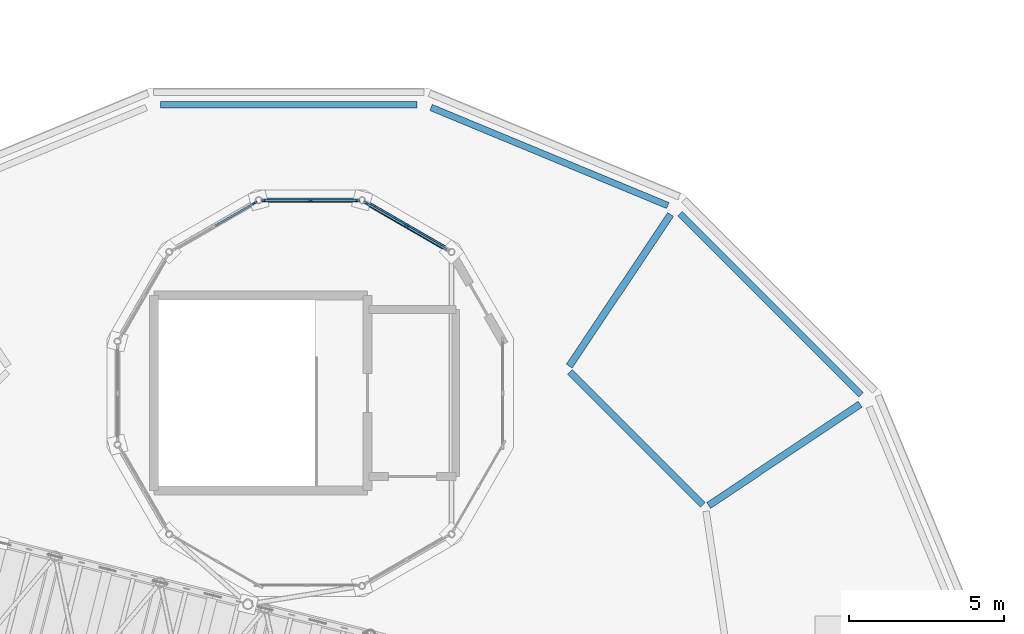
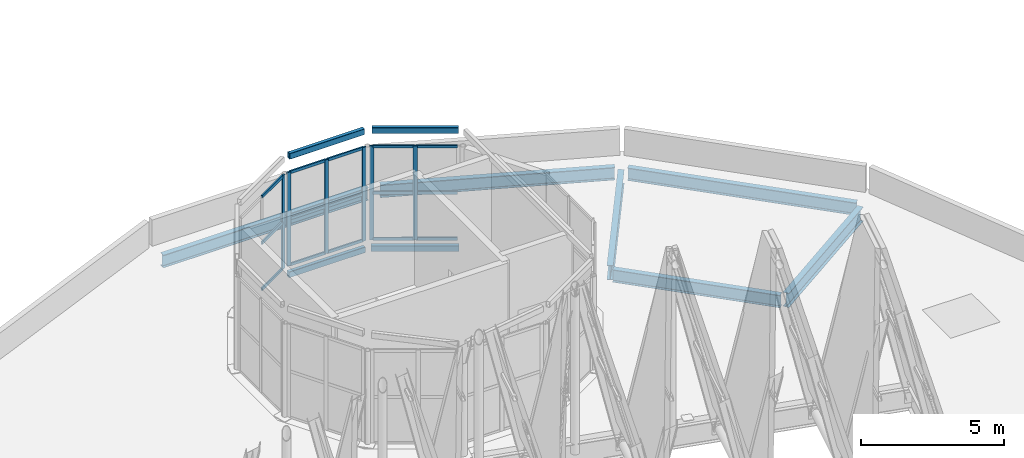
# One storey, part 16 of 51: 21 members, 10 beams, 3 elements without a shape of their own.
"""IFC4 building model written with IfcOpenShell, lengths in metres."""

import ifcopenshell
import ifcopenshell.guid

model = None  # the IFC model being written
_history = None  # IfcOwnerHistory: only IFC2X3 demands one
_inside = {}  # id of a spatial element -> (the spatial element, [elements in it])
_under = {}  # id of a project, library or spatial element -> (it, [spatial elements below it])
_declared = {}  # id of a project -> (the project, [libraries it declares])
_typed = {}  # id of a type object -> (the type object, [elements of that type])
_made_of = {}  # id of a material, layer set ... -> (it, [elements and type objects made of it])


def new_model(schema):
    """Start an empty IFC model of exactly this schema.

    Asked for "IFC4X3", IfcOpenShell would pick the latest addendum, in which some entities
    have other attributes; the version numbers below select the first issue.
    IFC2X3 requires an IfcOwnerHistory on every rooted entity: one is made here for all.
    """
    global model, _history
    if schema == "IFC4X3":
        model = ifcopenshell.file(schema_version=(4, 3, 0, 0))
    else:
        model = ifcopenshell.file(schema=schema)
    _inside.clear()
    _under.clear()
    _declared.clear()
    _typed.clear()
    _made_of.clear()
    _history = None
    if model.schema == "IFC2X3":
        org = make("IfcOrganization", Name="unknown")
        user = make(
            "IfcPersonAndOrganization",
            ThePerson=make("IfcPerson", FamilyName="unknown"),
            TheOrganization=org,
        )
        app = make(
            "IfcApplication",
            ApplicationDeveloper=org,
            Version="unknown",
            ApplicationFullName="unknown",
            ApplicationIdentifier="unknown",
        )
        _history = make(
            "IfcOwnerHistory",
            OwningUser=user,
            OwningApplication=app,
            ChangeAction="ADDED",
            CreationDate=0,
        )
    return model


def make(cls, **values):
    """One entity of the class cls with the attributes given. An attribute that is None is left unset."""
    return model.create_entity(
        cls, **{name: value for name, value in values.items() if value is not None}
    )


def rooted(cls, **values):
    """An entity with a GlobalId (a new one), such as an element, a storey or a relation."""
    return make(cls, GlobalId=ifcopenshell.guid.new(), OwnerHistory=_history, **values)


def si_unit(unit_type, name, prefix=None):
    """IfcSIUnit, for example si_unit("LENGTHUNIT", "METRE", prefix="MILLI")."""
    return make("IfcSIUnit", UnitType=unit_type, Prefix=prefix, Name=name)


def assignment(units):
    """IfcUnitAssignment: the units of a project."""
    return None if units is None else make("IfcUnitAssignment", Units=units)


def point(xyz):
    """IfcCartesianPoint."""
    return None if xyz is None else make("IfcCartesianPoint", Coordinates=xyz)


def direction(xyz):
    """IfcDirection."""
    return None if xyz is None else make("IfcDirection", DirectionRatios=xyz)


def frame(location, z_axis=None, x_axis=None):
    """IfcAxis2Placement3D, a coordinate frame: its origin and axes. An axis left out is left unset."""
    return make(
        "IfcAxis2Placement3D",
        Location=point(location),
        Axis=direction(z_axis),
        RefDirection=direction(x_axis),
    )


def frame_2d(location, x_axis=None):
    """IfcAxis2Placement2D, a coordinate frame in the plane: its origin and x axis."""
    return make(
        "IfcAxis2Placement2D", Location=point(location), RefDirection=direction(x_axis)
    )


def origin():
    """The frame at (0, 0, 0) with its axes left unset."""
    return frame((0.0, 0.0, 0.0))


def origin_2d():
    """The frame at (0, 0) in the plane with its x axis left unset."""
    return frame_2d((0.0, 0.0))


def place(relative_to, where):
    """IfcLocalPlacement: puts the frame where relative to a parent placement (None: the world)."""
    return make(
        "IfcLocalPlacement", PlacementRelTo=relative_to, RelativePlacement=where
    )


def context(
    kind, dimensions, precision=None, world=None, true_north=None, identifier=None
):
    """IfcGeometricRepresentationContext, for example the 3D "Model" context."""
    return make(
        "IfcGeometricRepresentationContext",
        ContextIdentifier=identifier,
        ContextType=kind,
        CoordinateSpaceDimension=dimensions,
        Precision=precision,
        WorldCoordinateSystem=world,
        TrueNorth=true_north,
    )


def subcontext(parent, identifier, kind, view, scale=None):
    """IfcGeometricRepresentationSubContext, for example "Body" below "Model"."""
    return make(
        "IfcGeometricRepresentationSubContext",
        ContextIdentifier=identifier,
        ContextType=kind,
        ParentContext=parent,
        TargetScale=scale,
        TargetView=view,
    )


def project(units=None, contexts=None):
    """IfcProject with its units and contexts."""
    return rooted(
        "IfcProject",
        Name="project",
        RepresentationContexts=contexts,
        UnitsInContext=assignment(units),
    )


def spatial(cls, under=None, at=None, **own):
    """A site, building, storey or space (cls), placed at a placement, below another one or the project."""
    s = rooted(cls, ObjectPlacement=at, **own)
    if under is not None:
        _under.setdefault(under.id(), (under, []))[1].append(s)
    return s


def profile(cls, at=None, kind="AREA", **sizes):
    """A parametric profile (cls). Its sizes go by their IFC names, for example OverallWidth=200.0."""
    return make(cls, ProfileType=kind, Position=at, **sizes)


def rectangle(**sizes):
    """IfcRectangleProfileDef."""
    return profile("IfcRectangleProfileDef", **sizes)


def hollow_rectangle(**sizes):
    """IfcRectangleHollowProfileDef."""
    return profile("IfcRectangleHollowProfileDef", **sizes)


def i_section(**sizes):
    """IfcIShapeProfileDef."""
    return profile("IfcIShapeProfileDef", **sizes)


def extrude(swept, where, along, depth):
    """IfcExtrudedAreaSolid: the profile swept, set in the frame where, extruded along a direction by depth."""
    return make(
        "IfcExtrudedAreaSolid",
        SweptArea=swept,
        Position=where,
        ExtrudedDirection=direction(along),
        Depth=depth,
    )


def shape(context_of_items, identifier, shape_type, items):
    """IfcShapeRepresentation: the items that make up one representation, for example the "Body"."""
    return make(
        "IfcShapeRepresentation",
        ContextOfItems=context_of_items,
        RepresentationIdentifier=identifier,
        RepresentationType=shape_type,
        Items=items,
    )


def material(Name=None, Category=None):
    """IfcMaterial."""
    return make("IfcMaterial", Name=Name, Category=Category)


def material_profile(
    of_material, cross_section, Name=None, Category=None, Priority=None
):
    """IfcMaterialProfile: a cross section and its material."""
    return make(
        "IfcMaterialProfile",
        Name=Name,
        Material=of_material,
        Profile=cross_section,
        Priority=Priority,
        Category=Category,
    )


def profile_set(profiles, Name=None, composite=None):
    """IfcMaterialProfileSet."""
    return make(
        "IfcMaterialProfileSet",
        Name=Name,
        MaterialProfiles=profiles,
        CompositeProfile=composite,
    )


def made_of(thing, what):
    """Note that an element or type object is made of a material, layer set ...; save() writes the relation."""
    if what is not None:
        _made_of.setdefault(what.id(), (what, []))[1].append(thing)
    return thing


def type_object(cls, material=None, **own):
    """A type object (cls), such as IfcWallType, which elements share."""
    return made_of(rooted(cls, **own), material)


def element(
    cls,
    number,
    at=None,
    inside=None,
    cuts=None,
    type_object=None,
    material=None,
    context=None,
    identifier="Body",
    shape_type=None,
    held_by="IfcProductDefinitionShape",
    body=None,
    shapes=None,
    **own,
):
    """One element of the class cls, such as IfcWall. Its Tag is "e" and its number.

    at: its placement. inside: the storey or other place that contains it. cuts: it is an
    opening in that element (IfcRelVoidsElement). A single representation is given by context,
    identifier, shape_type and body (its items); several are given by shapes. held_by: the class
    of the entity that holds the representations. save() writes the other relations.
    """
    e = rooted(cls, Tag="e%d" % number, ObjectPlacement=at, **own)
    if body is not None:
        shapes = [shape(context, identifier, shape_type, body)]
    if shapes is not None:
        e.Representation = make(held_by, Representations=shapes)
    if inside is not None:
        _inside.setdefault(inside.id(), (inside, []))[1].append(e)
    if cuts is not None:
        rooted(
            "IfcRelVoidsElement", RelatingBuildingElement=cuts, RelatedOpeningElement=e
        )
    if type_object is not None:
        _typed.setdefault(type_object.id(), (type_object, []))[1].append(e)
    return made_of(e, material)


def aggregate(whole, parts):
    """IfcRelAggregates: a whole, such as a stair, and the parts it consists of."""
    return rooted("IfcRelAggregates", RelatingObject=whole, RelatedObjects=parts)


def save(model, path):
    """Write the relations noted so far, then the file.

    IfcRelAggregates (storeys below a building ...), IfcRelContainedInSpatialStructure (elements
    in a storey), IfcRelDefinesByType, IfcRelAssociatesMaterial and IfcRelDeclares: one each for
    every whole, place, type object, material and project.
    """
    for whole, parts in _under.values():
        aggregate(whole, parts)
    for where, things in _inside.values():
        rooted(
            "IfcRelContainedInSpatialStructure",
            RelatedElements=things,
            RelatingStructure=where,
        )
    for kind, things in _typed.values():
        rooted("IfcRelDefinesByType", RelatedObjects=things, RelatingType=kind)
    for what, things in _made_of.values():
        rooted("IfcRelAssociatesMaterial", RelatedObjects=things, RelatingMaterial=what)
    for by, libraries in _declared.values():
        rooted("IfcRelDeclares", RelatingContext=by, RelatedDefinitions=libraries)
    model.write(path)


model = new_model("IFC4")

# Units and contexts
model_context = context("Model", 3, precision=1e-05, world=origin(), true_north=direction((0.0, 1.0)))
body_context = subcontext(model_context, "Body", "Model", "MODEL_VIEW")
ifc_project = project(units=[si_unit("LENGTHUNIT", "METRE"), si_unit("AREAUNIT", "SQUARE_METRE"), si_unit("VOLUMEUNIT", "CUBIC_METRE"), si_unit("PLANEANGLEUNIT", "RADIAN"), si_unit("MASSUNIT", "GRAM", prefix="KILO")], contexts=[model_context])

# Site, building, storey
site_placement = place(None, origin())
site = spatial("IfcSite", under=ifc_project, at=site_placement, CompositionType="ELEMENT")
building_placement = place(site_placement, origin())
building = spatial("IfcBuilding", under=site, at=building_placement, Name="Wrenclough Park School", CompositionType="ELEMENT")
storey_placement = place(building_placement, frame((0.0, 0.0, 16.800048828125)))
storey = spatial("IfcBuildingStorey", under=building, at=storey_placement, Name="L04", CompositionType="ELEMENT", Elevation=16.800048828125)

# Curtain wall, members
ifc_material_1 = material(Name="Thermally broken aluminium and low-e glass curtain wall", Category="aluminium")
curtain_wall_type = type_object("IfcCurtainWallType", Name="ENV-CW-16", PredefinedType="USERDEFINED", material=ifc_material_1)
curtain_wall_1_placement = place(storey_placement, origin())
curtain_wall_1 = element("IfcCurtainWall", 1, at=curtain_wall_1_placement, inside=storey, type_object=curtain_wall_type, Name="D1-SH cylindrical white-glazed stair-head curtain wall 179", ObjectType="CURTAIN WALL", PredefinedType="USERDEFINED")
ifc_material_2 = material(Name="Thermally broken anodised aluminium", Category="aluminium")
ifc_material_profile_1 = material_profile(ifc_material_2, rectangle(XDim=0.06005859375, YDim=0.159912109375, at=origin_2d()), Name="AL MULLION 60x160")
ifc_profile_set_1 = profile_set([ifc_material_profile_1], Name="Thermally broken anodised aluminium")
member_type_1 = type_object("IfcMemberType", Name="ENV-CWM-1", PredefinedType="MULLION", material=ifc_profile_set_1)
member_1_placement = place(storey_placement, frame((159.30908203125, 44.585205078125, 0.0), z_axis=(0.0, 0.0, 1.0), x_axis=(-0.500002592159, -0.866023907196, 0.0)))
member_1 = element("IfcMember", 2, at=member_1_placement, type_object=member_type_1, Name="CW-16 mullion 2", PredefinedType="MULLION", context=body_context, shape_type="SweptSolid", body=[
    extrude(rectangle(XDim=0.06005859375, YDim=0.159912109375, at=origin_2d()), origin(), (0.0, 0.0, 1.0), 4.0),
])
member_2_placement = place(storey_placement, frame((157.9970703125, 45.3427734375, 0.0), z_axis=(0.0, 0.0, 1.0), x_axis=(-0.500002592159, -0.866023907196, 0.0)))
member_2 = element("IfcMember", 3, at=member_2_placement, type_object=member_type_1, Name="CW-16 mullion 3", PredefinedType="MULLION", context=body_context, shape_type="SweptSolid", body=[
    extrude(rectangle(XDim=0.06005859375, YDim=0.159912109375, at=origin_2d()), origin(), (0.0, 0.0, 1.0), 4.0),
])

curtain_wall_2_placement = place(storey_placement, origin())
curtain_wall_2 = element("IfcCurtainWall", 4, at=curtain_wall_2_placement, inside=storey, type_object=curtain_wall_type, Name="D1-SH cylindrical white-glazed stair-head curtain wall 180", ObjectType="CURTAIN WALL", PredefinedType="USERDEFINED")
member_3_placement = place(storey_placement, frame((157.714599609375, 45.418212890625, 0.0), z_axis=(0.0, 0.0, 1.0), x_axis=(0.0, -1.0, 0.0)))
member_3 = element("IfcMember", 5, at=member_3_placement, type_object=member_type_1, Name="CW-16 mullion 1", PredefinedType="MULLION", context=body_context, shape_type="SweptSolid", body=[
    extrude(rectangle(XDim=0.06005859375, YDim=0.159912109375, at=origin_2d()), origin(), (0.0, 0.0, 1.0), 4.0),
])
member_4_placement = place(storey_placement, frame((156.199951171875, 45.418212890625, 0.0), z_axis=(0.0, 0.0, 1.0), x_axis=(0.0, -1.0, 0.0)))
member_4 = element("IfcMember", 6, at=member_4_placement, type_object=member_type_1, Name="CW-16 mullion 2", PredefinedType="MULLION", context=body_context, shape_type="SweptSolid", body=[
    extrude(rectangle(XDim=0.06005859375, YDim=0.159912109375, at=origin_2d()), origin(), (0.0, 0.0, 1.0), 4.0),
])
member_5_placement = place(storey_placement, frame((154.685546875, 45.418212890625, 0.0), z_axis=(0.0, 0.0, 1.0), x_axis=(0.0, -1.0, 0.0)))
member_5 = element("IfcMember", 7, at=member_5_placement, type_object=member_type_1, Name="CW-16 mullion 3", PredefinedType="MULLION", context=body_context, shape_type="SweptSolid", body=[
    extrude(rectangle(XDim=0.06005859375, YDim=0.159912109375, at=origin_2d()), origin(), (0.0, 0.0, 1.0), 4.0),
])

# Curtain wall, member
curtain_wall_3_placement = place(storey_placement, origin())
curtain_wall_3 = element("IfcCurtainWall", 8, at=curtain_wall_3_placement, inside=storey, type_object=curtain_wall_type, Name="D1-SH cylindrical white-glazed stair-head curtain wall 181", ObjectType="CURTAIN WALL", PredefinedType="USERDEFINED")
member_6_placement = place(storey_placement, frame((154.40283203125, 45.3427734375, 0.0), z_axis=(0.0, 0.0, 1.0), x_axis=(0.500002592159, -0.866023907196, 0.0)))
member_6 = element("IfcMember", 9, at=member_6_placement, type_object=member_type_1, Name="CW-16 mullion 1", PredefinedType="MULLION", context=body_context, shape_type="SweptSolid", body=[
    extrude(rectangle(XDim=0.06005859375, YDim=0.159912109375, at=origin_2d()), origin(), (0.0, 0.0, 1.0), 4.0),
])

# Member
ifc_material_profile_2 = material_profile(ifc_material_2, rectangle(XDim=0.06005859375, YDim=0.1201171875, at=origin_2d()), Name="AL TRANSOM 60x120")
ifc_profile_set_2 = profile_set([ifc_material_profile_2], Name="Thermally broken anodised aluminium")
member_type_2 = type_object("IfcMemberType", Name="ENV-CWT-1", PredefinedType="USERDEFINED", material=ifc_profile_set_2)
member_7_placement = place(storey_placement, frame((160.59521484375, 43.8427734375, 0.030029296875), z_axis=(-0.866045896294, 0.499964504253, 0.0), x_axis=(-0.499964504253, -0.866045896294, 0.0)))
member_7 = element("IfcMember", 10, at=member_7_placement, type_object=member_type_2, Name="CW-16 transom 1.1", ObjectType="TRANSOM", PredefinedType="USERDEFINED", context=body_context, shape_type="SweptSolid", body=[
    extrude(rectangle(XDim=0.06005859375, YDim=0.1201171875, at=origin_2d()), origin(), (0.0, 0.0, 1.0), 1.455078125),
])

member_8_placement = place(storey_placement, frame((160.59521484375, 43.8427734375, 2.0), z_axis=(-0.866045896294, 0.499964504253, 0.0), x_axis=(-0.499964504253, -0.866045896294, 0.0)))
member_8 = element("IfcMember", 11, at=member_8_placement, type_object=member_type_2, Name="CW-16 transom 1.2", ObjectType="TRANSOM", PredefinedType="USERDEFINED", context=body_context, shape_type="SweptSolid", body=[
    extrude(rectangle(XDim=0.06005859375, YDim=0.1201171875, at=origin_2d()), origin(), (0.0, 0.0, 1.0), 1.455078125),
])

member_9_placement = place(storey_placement, frame((160.59521484375, 43.8427734375, 3.969970703125), z_axis=(-0.866045896294, 0.499964504253, 0.0), x_axis=(-0.499964504253, -0.866045896294, 0.0)))
member_9 = element("IfcMember", 12, at=member_9_placement, type_object=member_type_2, Name="CW-16 transom 1.3", ObjectType="TRANSOM", PredefinedType="USERDEFINED", context=body_context, shape_type="SweptSolid", body=[
    extrude(rectangle(XDim=0.06005859375, YDim=0.1201171875, at=origin_2d()), origin(), (0.0, 0.0, 1.0), 1.455078125),
])

member_10_placement = place(storey_placement, frame((159.283203125, 44.60009765625, 0.030029296875), z_axis=(-0.866045896294, 0.499964504253, 0.0), x_axis=(-0.499964504253, -0.866045896294, 0.0)))
member_10 = element("IfcMember", 13, at=member_10_placement, type_object=member_type_2, Name="CW-16 transom 2.1", ObjectType="TRANSOM", PredefinedType="USERDEFINED", context=body_context, shape_type="SweptSolid", body=[
    extrude(rectangle(XDim=0.06005859375, YDim=0.1201171875, at=origin_2d()), origin(), (0.0, 0.0, 1.0), 1.455078125),
])

member_11_placement = place(storey_placement, frame((159.283203125, 44.60009765625, 2.0), z_axis=(-0.866045896294, 0.499964504253, 0.0), x_axis=(-0.499964504253, -0.866045896294, 0.0)))
member_11 = element("IfcMember", 14, at=member_11_placement, type_object=member_type_2, Name="CW-16 transom 2.2", ObjectType="TRANSOM", PredefinedType="USERDEFINED", context=body_context, shape_type="SweptSolid", body=[
    extrude(rectangle(XDim=0.06005859375, YDim=0.1201171875, at=origin_2d()), origin(), (0.0, 0.0, 1.0), 1.455078125),
])

member_12_placement = place(storey_placement, frame((159.283203125, 44.60009765625, 3.969970703125), z_axis=(-0.866045896294, 0.499964504253, 0.0), x_axis=(-0.499964504253, -0.866045896294, 0.0)))
member_12 = element("IfcMember", 15, at=member_12_placement, type_object=member_type_2, Name="CW-16 transom 2.3", ObjectType="TRANSOM", PredefinedType="USERDEFINED", context=body_context, shape_type="SweptSolid", body=[
    extrude(rectangle(XDim=0.06005859375, YDim=0.1201171875, at=origin_2d()), origin(), (0.0, 0.0, 1.0), 1.455078125),
])

aggregate(curtain_wall_1, [member_1, member_2, member_7, member_8, member_9, member_10, member_11, member_12])

member_13_placement = place(storey_placement, frame((157.6845703125, 45.418212890625, 0.030029296875), z_axis=(-1.0, 0.0, 0.0), x_axis=(0.0, -1.0, 0.0)))
member_13 = element("IfcMember", 16, at=member_13_placement, type_object=member_type_2, Name="CW-16 transom 1.1", ObjectType="TRANSOM", PredefinedType="USERDEFINED", context=body_context, shape_type="SweptSolid", body=[
    extrude(rectangle(XDim=0.06005859375, YDim=0.1201171875, at=origin_2d()), origin(), (0.0, 0.0, 1.0), 1.45458984375),
])

member_14_placement = place(storey_placement, frame((157.6845703125, 45.418212890625, 2.0), z_axis=(-1.0, 0.0, 0.0), x_axis=(0.0, -1.0, 0.0)))
member_14 = element("IfcMember", 17, at=member_14_placement, type_object=member_type_2, Name="CW-16 transom 1.2", ObjectType="TRANSOM", PredefinedType="USERDEFINED", context=body_context, shape_type="SweptSolid", body=[
    extrude(rectangle(XDim=0.06005859375, YDim=0.1201171875, at=origin_2d()), origin(), (0.0, 0.0, 1.0), 1.45458984375),
])

member_15_placement = place(storey_placement, frame((157.6845703125, 45.418212890625, 3.969970703125), z_axis=(-1.0, 0.0, 0.0), x_axis=(0.0, -1.0, 0.0)))
member_15 = element("IfcMember", 18, at=member_15_placement, type_object=member_type_2, Name="CW-16 transom 1.3", ObjectType="TRANSOM", PredefinedType="USERDEFINED", context=body_context, shape_type="SweptSolid", body=[
    extrude(rectangle(XDim=0.06005859375, YDim=0.1201171875, at=origin_2d()), origin(), (0.0, 0.0, 1.0), 1.45458984375),
])

member_16_placement = place(storey_placement, frame((156.170166015625, 45.418212890625, 0.030029296875), z_axis=(-1.0, 0.0, 0.0), x_axis=(0.0, -1.0, 0.0)))
member_16 = element("IfcMember", 19, at=member_16_placement, type_object=member_type_2, Name="CW-16 transom 2.1", ObjectType="TRANSOM", PredefinedType="USERDEFINED", context=body_context, shape_type="SweptSolid", body=[
    extrude(rectangle(XDim=0.06005859375, YDim=0.1201171875, at=origin_2d()), origin(), (0.0, 0.0, 1.0), 1.45458984375),
])

member_17_placement = place(storey_placement, frame((156.170166015625, 45.418212890625, 2.0), z_axis=(-1.0, 0.0, 0.0), x_axis=(0.0, -1.0, 0.0)))
member_17 = element("IfcMember", 20, at=member_17_placement, type_object=member_type_2, Name="CW-16 transom 2.2", ObjectType="TRANSOM", PredefinedType="USERDEFINED", context=body_context, shape_type="SweptSolid", body=[
    extrude(rectangle(XDim=0.06005859375, YDim=0.1201171875, at=origin_2d()), origin(), (0.0, 0.0, 1.0), 1.45458984375),
])

member_18_placement = place(storey_placement, frame((156.170166015625, 45.418212890625, 3.969970703125), z_axis=(-1.0, 0.0, 0.0), x_axis=(0.0, -1.0, 0.0)))
member_18 = element("IfcMember", 21, at=member_18_placement, type_object=member_type_2, Name="CW-16 transom 2.3", ObjectType="TRANSOM", PredefinedType="USERDEFINED", context=body_context, shape_type="SweptSolid", body=[
    extrude(rectangle(XDim=0.06005859375, YDim=0.1201171875, at=origin_2d()), origin(), (0.0, 0.0, 1.0), 1.45458984375),
])

aggregate(curtain_wall_2, [member_3, member_4, member_5, member_13, member_14, member_15, member_16, member_17, member_18])

member_19_placement = place(storey_placement, frame((154.376953125, 45.32763671875, 0.030029296875), z_axis=(-0.866003949776, -0.500037157592, 0.0), x_axis=(0.500037157592, -0.866003949776, 0.0)))
member_19 = element("IfcMember", 22, at=member_19_placement, type_object=member_type_2, Name="CW-16 transom 1.1", ObjectType="TRANSOM", PredefinedType="USERDEFINED", context=body_context, shape_type="SweptSolid", body=[
    extrude(rectangle(XDim=0.06005859375, YDim=0.1201171875, at=origin_2d()), origin(), (0.0, 0.0, 1.0), 1.455078125),
])

member_20_placement = place(storey_placement, frame((154.376953125, 45.32763671875, 2.0), z_axis=(-0.866003949776, -0.500037157592, 0.0), x_axis=(0.500037157592, -0.866003949776, 0.0)))
member_20 = element("IfcMember", 23, at=member_20_placement, type_object=member_type_2, Name="CW-16 transom 1.2", ObjectType="TRANSOM", PredefinedType="USERDEFINED", context=body_context, shape_type="SweptSolid", body=[
    extrude(rectangle(XDim=0.06005859375, YDim=0.1201171875, at=origin_2d()), origin(), (0.0, 0.0, 1.0), 1.455078125),
])

member_21_placement = place(storey_placement, frame((154.376953125, 45.32763671875, 3.969970703125), z_axis=(-0.866003949776, -0.500037157592, 0.0), x_axis=(0.500037157592, -0.866003949776, 0.0)))
member_21 = element("IfcMember", 24, at=member_21_placement, type_object=member_type_2, Name="CW-16 transom 1.3", ObjectType="TRANSOM", PredefinedType="USERDEFINED", context=body_context, shape_type="SweptSolid", body=[
    extrude(rectangle(XDim=0.06005859375, YDim=0.1201171875, at=origin_2d()), origin(), (0.0, 0.0, 1.0), 1.455078125),
])

aggregate(curtain_wall_3, [member_6, member_19, member_20, member_21])

# Beams
ifc_material_3 = material(Name="Structural steel S355", Category="steel")
ifc_material_profile_3 = material_profile(ifc_material_3, hollow_rectangle(XDim=0.14990234375, YDim=0.25, WallThickness=0.010009765625, InnerFilletRadius=0.010009765625, OuterFilletRadius=0.014892578125, at=origin_2d()), Name="RHS 250x150x10.0")
ifc_profile_set_3 = profile_set([ifc_material_profile_3], Name="Structural steel S355")
beam_type_1 = type_object("IfcBeamType", Name="STR-BM-RHS250", PredefinedType="SPANDREL", material=ifc_profile_set_3)
beam_1_placement = place(storey_placement, frame((160.647216796875, 43.826416015625, -0.364990234375), z_axis=(-0.866012465712, 0.500022408728, 0.0), x_axis=(-0.500022408728, -0.866012465712, 0.0)))
element("IfcBeam", 25, at=beam_1_placement, inside=storey, type_object=beam_type_1, Name="D1-SH L04 cylindrical ring beam 1", PredefinedType="SPANDREL", context=body_context, shape_type="SweptSolid", body=[
    extrude(hollow_rectangle(XDim=0.14990234375, YDim=0.25, WallThickness=0.010009765625, InnerFilletRadius=0.010009765625, OuterFilletRadius=0.014892578125, at=origin_2d()), origin(), (0.0, 0.0, 1.0), 3.076416015625),
])
beam_2_placement = place(storey_placement, frame((160.622314453125, 43.8408203125, 4.679931640625), z_axis=(-0.8660347431, 0.499983823482, 0.0), x_axis=(-0.499983823482, -0.8660347431, 0.0)))
element("IfcBeam", 26, at=beam_2_placement, inside=storey, type_object=beam_type_1, Name="D1-SH L05 top cylindrical eave ring beam 1", PredefinedType="SPANDREL", context=body_context, shape_type="SweptSolid", body=[
    extrude(hollow_rectangle(XDim=0.14990234375, YDim=0.25, WallThickness=0.010009765625, InnerFilletRadius=0.010009765625, OuterFilletRadius=0.014892578125, at=origin_2d()), origin(), (0.0, 0.0, 1.0), 3.0185546875),
])
beam_3_placement = place(storey_placement, frame((157.73828125, 45.43017578125, -0.364990234375), z_axis=(-1.0, 0.0, 0.0), x_axis=(0.0, -1.0, 0.0)))
element("IfcBeam", 27, at=beam_3_placement, inside=storey, type_object=beam_type_1, Name="D1-SH L04 cylindrical ring beam 2", PredefinedType="SPANDREL", context=body_context, shape_type="SweptSolid", body=[
    extrude(hollow_rectangle(XDim=0.14990234375, YDim=0.25, WallThickness=0.010009765625, InnerFilletRadius=0.010009765625, OuterFilletRadius=0.014892578125, at=origin_2d()), origin(), (0.0, 0.0, 1.0), 3.07666015625),
])
beam_4_placement = place(storey_placement, frame((157.70947265625, 45.43017578125, 4.679931640625), z_axis=(-1.0, 0.0, 0.0), x_axis=(0.0, -1.0, 0.0)))
element("IfcBeam", 28, at=beam_4_placement, inside=storey, type_object=beam_type_1, Name="D1-SH L05 top cylindrical eave ring beam 2", PredefinedType="SPANDREL", context=body_context, shape_type="SweptSolid", body=[
    extrude(hollow_rectangle(XDim=0.14990234375, YDim=0.25, WallThickness=0.010009765625, InnerFilletRadius=0.010009765625, OuterFilletRadius=0.014892578125, at=origin_2d()), origin(), (0.0, 0.0, 1.0), 3.018798828125),
])
ifc_material_profile_4 = material_profile(ifc_material_3, i_section(OverallWidth=0.209228515625, OverallDepth=0.533203125, WebThickness=0.010009765625, FlangeThickness=0.015625, FilletRadius=0.0126953125, at=origin_2d()), Name="UKB 533x210x92")
ifc_profile_set_4 = profile_set([ifc_material_profile_4], Name="Structural steel S355")
beam_type_2 = type_object("IfcBeamType", Name="STR-BM-UKB533A", PredefinedType="BEAM", material=ifc_profile_set_4)
beam_5_placement = place(storey_placement, frame((168.88330078125, 35.586669921875, -0.491455078125), z_axis=(-0.707106781187, 0.707106781187, 0.0), x_axis=(-0.707106781187, -0.707106781187, 0.0)))
element("IfcBeam", 29, at=beam_5_placement, inside=storey, type_object=beam_type_2, Name="D1 L04 middle ring beam 2", PredefinedType="BEAM", context=body_context, shape_type="SweptSolid", body=[
    extrude(i_section(OverallWidth=0.209228515625, OverallDepth=0.533203125, WebThickness=0.010009765625, FlangeThickness=0.015625, FilletRadius=0.0126953125, at=origin_2d()), origin(), (0.0, 0.0, 1.0), 6.076416015625),
])
ifc_material_profile_5 = material_profile(ifc_material_3, i_section(OverallWidth=0.210693359375, OverallDepth=0.53955078125, WebThickness=0.01171875, FlangeThickness=0.018798828125, FilletRadius=0.0126953125, at=origin_2d()), Name="UKB 533x210x109")
ifc_profile_set_5 = profile_set([ifc_material_profile_5], Name="Structural steel S355")
beam_type_3 = type_object("IfcBeamType", Name="STR-BM-UKB533B", PredefinedType="SPANDREL", material=ifc_profile_set_5)
for number, where, z_axis, x_axis, name in (
    (30, (173.996826171875, 39.142333984375, -0.49462890625), (-0.707106781187, 0.707106781187, 0.0), (-0.707106781187, -0.707106781187, 0.0), "D1 L04 outer ring spandrel beam 2"),
    (31, (167.7509765625, 45.25830078125, -0.49462890625), (-0.923880985108, 0.382679925467, 0.0), (-0.382679925467, -0.923880985108, 0.0), "D1 L04 outer ring spandrel beam 3"),
):
    element("IfcBeam", number, at=place(storey_placement, frame(where, z_axis=z_axis, x_axis=x_axis)), inside=storey, type_object=beam_type_3, Name=name, PredefinedType="SPANDREL", context=body_context, shape_type="SweptSolid", body=[
        extrude(i_section(OverallWidth=0.210693359375, OverallDepth=0.53955078125, WebThickness=0.01171875, FlangeThickness=0.018798828125, FilletRadius=0.0126953125, at=origin_2d()), origin(), (0.0, 0.0, 1.0), 8.279541015625),
    ])
beam_6_placement = place(storey_placement, frame((159.639892578125, 48.5185546875, -0.49462890625), z_axis=(-1.0, 0.0, 0.0), x_axis=(0.0, -1.0, 0.0)))
element("IfcBeam", 32, at=beam_6_placement, inside=storey, type_object=beam_type_3, Name="D1 L04 outer ring spandrel beam 4", PredefinedType="SPANDREL", context=body_context, shape_type="SweptSolid", body=[
    extrude(i_section(OverallWidth=0.210693359375, OverallDepth=0.53955078125, WebThickness=0.01171875, FlangeThickness=0.018798828125, FilletRadius=0.0126953125, at=origin_2d()), origin(), (0.0, 0.0, 1.0), 8.27978515625),
])
ifc_material_profile_6 = material_profile(ifc_material_3, i_section(OverallWidth=0.22900390625, OverallDepth=0.6123046875, WebThickness=0.011962890625, FlangeThickness=0.01953125, FilletRadius=0.0126953125, at=origin_2d()), Name="UKB 610x229x125")
ifc_profile_set_6 = profile_set([ifc_material_profile_6], Name="Structural steel S355")
beam_type_4 = type_object("IfcBeamType", Name="STR-BM-UKB610", PredefinedType="BEAM", material=ifc_profile_set_6)
for number, where, z_axis, x_axis, name in (
    (33, (173.966796875, 38.83935546875, -0.53125), (-0.831456549723, -0.555589782054, 0.0), (0.555589782054, -0.831456549723, 0.0), "D1 L04 radial girder 2"),
    (34, (167.83935546875, 44.966796875, -0.53125), (-0.555589782054, -0.831456549723, 0.0), (0.831456549723, -0.555589782054, 0.0), "D1 L04 radial girder 3"),
):
    element("IfcBeam", number, at=place(storey_placement, frame(where, z_axis=z_axis, x_axis=x_axis)), inside=storey, type_object=beam_type_4, Name=name, PredefinedType="BEAM", context=body_context, shape_type="SweptSolid", body=[
        extrude(i_section(OverallWidth=0.22900390625, OverallDepth=0.6123046875, WebThickness=0.011962890625, FlangeThickness=0.01953125, FilletRadius=0.0126953125, at=origin_2d()), origin(), (0.0, 0.0, 1.0), 5.887939453125),
    ])

save(model, "model.ifc")
